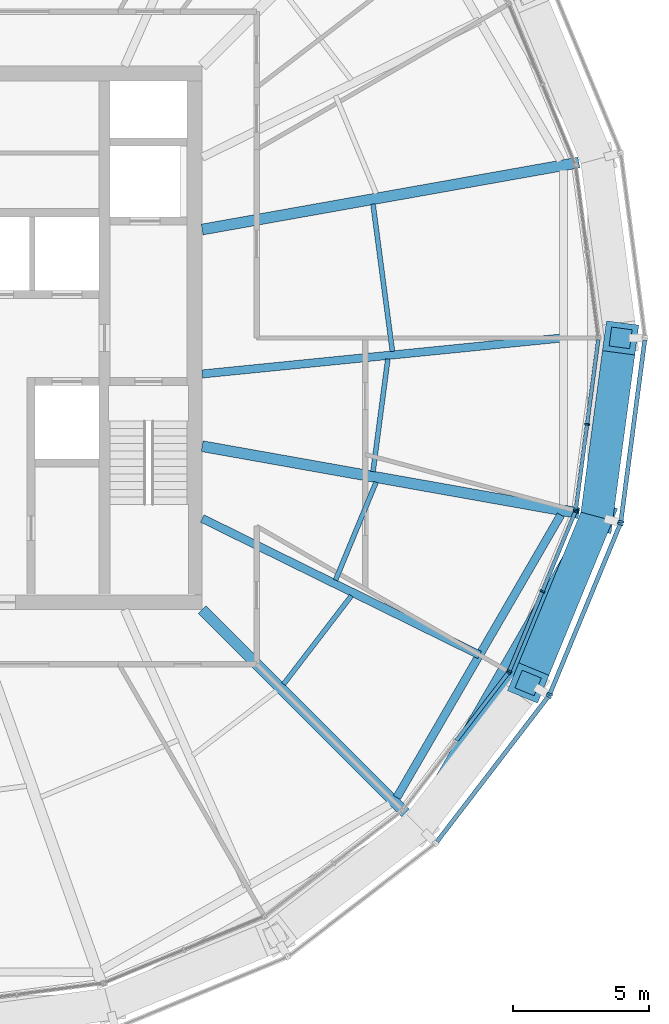
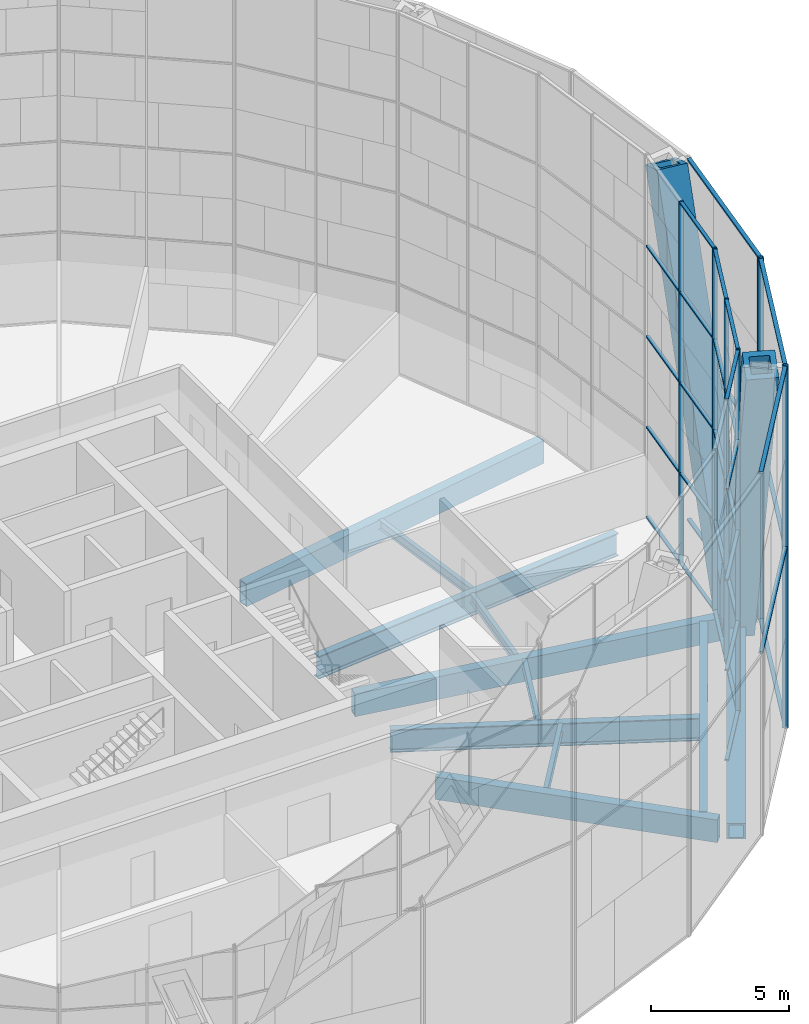
# One storey, part 6 of 30: 44 members, 11 beams, 6 elements without a shape of their own.
"""IFC4 building model written with IfcOpenShell, lengths in metres."""

from ifc_helpers import new_model, si_unit, direction, frame, origin, origin_2d, place, context, subcontext, project, spatial, rectangle, hollow_rectangle, i_section, extrude, material, material_profile, profile_set, type_object, element, aggregate, save


model = new_model("IFC4")

# Units and contexts
model_context = context("Model", 3, precision=1e-05, world=origin(), true_north=direction((0.0, 1.0)))
body_context = subcontext(model_context, "Body", "Model", "MODEL_VIEW")
ifc_project = project(units=[si_unit("LENGTHUNIT", "METRE"), si_unit("AREAUNIT", "SQUARE_METRE"), si_unit("VOLUMEUNIT", "CUBIC_METRE"), si_unit("PLANEANGLEUNIT", "RADIAN"), si_unit("MASSUNIT", "GRAM", prefix="KILO")], contexts=[model_context])

# Site, building, storey
site_placement = place(None, origin())
site = spatial("IfcSite", under=ifc_project, at=site_placement, CompositionType="ELEMENT")
building_placement = place(site_placement, origin())
building = spatial("IfcBuilding", under=site, at=building_placement, Name="Golbaran Civic Tower", CompositionType="ELEMENT")
storey_placement = place(building_placement, frame((0.0, 0.0, 102.0)))
storey = spatial("IfcBuildingStorey", under=building, at=storey_placement, Name="L24", CompositionType="ELEMENT", Elevation=102.0)

# Members
ifc_material_1 = material(Name="Steel S355", Category="steel")
ifc_material_profile_1 = material_profile(ifc_material_1, hollow_rectangle(XDim=1.199951171875, YDim=1.199951171875, WallThickness=0.219970703125, at=origin_2d()), Name="BOX 1200x1200x220")
ifc_profile_set_1 = profile_set([ifc_material_profile_1], Name="Steel S355")
member_type_1 = type_object("IfcMemberType", Name="DIAGRID DIAGONAL BOX 1200x1200x220", PredefinedType="BRACE", material=ifc_profile_set_1)
for number, where, z_axis, x_axis, name in (
    (1, (24.51611328125, -6.569091796875, -0.7099609375), (0.050637494414, 0.379315997273, 0.923880521697), (-0.991206653617, 0.132322975426, 0.0), "Diagonal D05-11R L24-L28"),
    (2, (24.51611328125, -6.569091796875, -0.7099609375), (-0.145808380158, -0.353814050585, 0.923880692451), (0.924567435583, -0.381018447137, 0.0), "Diagonal D05-11L L24-L28"),
):
    element("IfcMember", number, at=place(storey_placement, frame(where, z_axis=z_axis, x_axis=x_axis)), inside=storey, type_object=member_type_1, Name=name, PredefinedType="BRACE", context=body_context, shape_type="SweptSolid", body=[
        extrude(hollow_rectangle(XDim=1.199951171875, YDim=1.199951171875, WallThickness=0.219970703125, at=origin_2d()), origin(), (0.0, 0.0, 1.0), 17.318359375),
    ])

# Beams
ifc_material_profile_2 = material_profile(ifc_material_1, hollow_rectangle(XDim=0.699951171875, YDim=0.699951171875, WallThickness=0.080078125, at=origin_2d()), Name="BOX 700x700x80")
ifc_profile_set_2 = profile_set([ifc_material_profile_2], Name="Steel S355")
beam_type_1 = type_object("IfcBeamType", Name="DIAGRID RING TIE BOX 700x700x80", PredefinedType="BEAM", material=ifc_profile_set_2)
beam_1_placement = place(storey_placement, frame((17.947021484375, -17.947021484375, -0.7099609375), z_axis=(0.500002342169, 0.866024051528, 0.0), x_axis=(-0.866024051528, 0.500002342169, 0.0)))
element("IfcBeam", 3, at=beam_1_placement, inside=storey, type_object=beam_type_1, Name="Ring tie 315.00 L24", PredefinedType="BEAM", context=body_context, shape_type="SweptSolid", body=[
    extrude(hollow_rectangle(XDim=0.699951171875, YDim=0.699951171875, WallThickness=0.080078125, at=origin_2d()), origin(), (0.0, 0.0, 1.0), 13.13818359375),
])
ifc_material_profile_3 = material_profile(ifc_material_1, i_section(OverallWidth=0.300048828125, OverallDepth=0.800048828125, WebThickness=0.017578125, FlangeThickness=0.032958984375, FilletRadius=0.030029296875, at=origin_2d()), Name="HEB 800")
ifc_profile_set_3 = profile_set([ifc_material_profile_3], Name="Steel S355")
beam_type_2 = type_object("IfcBeamType", Name="EDGE BEAM HEB 800", PredefinedType="BEAM", material=ifc_profile_set_3)
beam_2_placement = place(storey_placement, frame((17.161376953125, -16.906982421875, -0.60009765625), z_axis=(0.50190998271, 0.86491986291, 0.0), x_axis=(-0.86491986291, 0.50190998271, 0.0)))
element("IfcBeam", 4, at=beam_2_placement, inside=storey, type_object=beam_type_2, Name="Edge beam 315.00 L24", PredefinedType="BEAM", context=body_context, shape_type="SweptSolid", body=[
    extrude(i_section(OverallWidth=0.300048828125, OverallDepth=0.800048828125, WebThickness=0.017578125, FlangeThickness=0.032958984375, FilletRadius=0.030029296875, at=origin_2d()), origin(), (0.0, 0.0, 1.0), 12.013671875),
])
ifc_material_profile_4 = material_profile(ifc_material_1, i_section(OverallWidth=0.179931640625, OverallDepth=0.39990234375, WebThickness=0.008544921875, FlangeThickness=0.013427734375, FilletRadius=0.02099609375, at=origin_2d()), Name="IPE 400")
ifc_profile_set_4 = profile_set([ifc_material_profile_4], Name="Steel S355")
beam_type_3 = type_object("IfcBeamType", Name="FLOOR INFILL BEAM IPE 400", PredefinedType="BEAM", material=ifc_profile_set_4)
beam_3_placement = place(storey_placement, frame((16.997802734375, -0.498291015625, -0.39990234375), z_axis=(-0.13054578094, 0.991442282273, 0.0), x_axis=(-0.991442282273, -0.13054578094, 0.0)))
element("IfcBeam", 5, at=beam_3_placement, inside=storey, type_object=beam_type_3, Name="Infill beam 7.50 L24", PredefinedType="BEAM", context=body_context, shape_type="SweptSolid", body=[
    extrude(i_section(OverallWidth=0.179931640625, OverallDepth=0.39990234375, WebThickness=0.008544921875, FlangeThickness=0.013427734375, FilletRadius=0.02099609375, at=origin_2d()), origin(), (0.0, 0.0, 1.0), 5.466552734375),
])
beam_4_placement = place(storey_placement, frame((12.993896484375, -12.739501953125, -0.39990234375), z_axis=(0.608762972418, 0.793352155989, 0.0), x_axis=(-0.793352155989, 0.608762972418, 0.0)))
element("IfcBeam", 6, at=beam_4_placement, inside=storey, type_object=beam_type_3, Name="Infill beam 322.50 L24", PredefinedType="BEAM", context=body_context, shape_type="SweptSolid", body=[
    extrude(i_section(OverallWidth=0.179931640625, OverallDepth=0.39990234375, WebThickness=0.008544921875, FlangeThickness=0.013427734375, FilletRadius=0.02099609375, at=origin_2d()), origin(), (0.0, 0.0, 1.0), 4.097412109375),
])
beam_5_placement = place(storey_placement, frame((14.90478515625, -8.911865234375, -0.39990234375), z_axis=(0.382690736062, 0.923876507187, 0.0), x_axis=(-0.923876507187, 0.382690736062, 0.0)))
element("IfcBeam", 7, at=beam_5_placement, inside=storey, type_object=beam_type_3, Name="Infill beam 337.50 L24", PredefinedType="BEAM", context=body_context, shape_type="SweptSolid", body=[
    extrude(i_section(OverallWidth=0.179931640625, OverallDepth=0.39990234375, WebThickness=0.008544921875, FlangeThickness=0.013427734375, FilletRadius=0.02099609375, at=origin_2d()), origin(), (0.0, 0.0, 1.0), 3.90185546875),
])
beam_6_placement = place(storey_placement, frame((16.2841796875, -4.92138671875, -0.39990234375), z_axis=(0.130572336197, 0.991438785312, 0.0), x_axis=(-0.991438785312, 0.130572336197, 0.0)))
element("IfcBeam", 8, at=beam_6_placement, inside=storey, type_object=beam_type_3, Name="Infill beam 352.50 L24", PredefinedType="BEAM", context=body_context, shape_type="SweptSolid", body=[
    extrude(i_section(OverallWidth=0.179931640625, OverallDepth=0.39990234375, WebThickness=0.008544921875, FlangeThickness=0.013427734375, FilletRadius=0.02099609375, at=origin_2d()), origin(), (0.0, 0.0, 1.0), 4.180908203125),
])

# Curtain wall, member
ifc_material_2 = material(Name="Aluminium and glass", Category="aluminium")
curtain_wall_type_1 = type_object("IfcCurtainWallType", Name="INNER SKIN CURTAIN WALL", PredefinedType="NOTDEFINED", material=ifc_material_2)
curtain_wall_1_placement = place(storey_placement, origin())
curtain_wall_1 = element("IfcCurtainWall", 9, at=curtain_wall_1_placement, inside=storey, type_object=curtain_wall_type_1, Name="Inner skin L24 facet 22 CW1", ObjectType="INNER SKIN", PredefinedType="USERDEFINED")
ifc_material_3 = material(Name="Aluminium", Category="aluminium")
ifc_material_profile_5 = material_profile(ifc_material_3, rectangle(XDim=0.179931640625, YDim=0.06494140625, at=origin_2d()), Name="INNER SKIN CURTAIN WALL MULLION")
ifc_profile_set_5 = profile_set([ifc_material_profile_5], Name="Aluminium")
member_type_2 = type_object("IfcMemberType", Name="INNER SKIN CURTAIN WALL MULLION", PredefinedType="MULLION", material=ifc_profile_set_5)
member_1_placement = place(storey_placement, frame((21.265380859375, -12.314697265625, 0.0), z_axis=(0.0, 0.0, 1.0), x_axis=(-0.793353340302, 0.608761428995, 0.0)))
member_1 = element("IfcMember", 10, at=member_1_placement, type_object=member_type_2, Name="CW1 mullion 3", PredefinedType="MULLION", context=body_context, shape_type="SweptSolid", body=[
    extrude(rectangle(XDim=0.179931640625, YDim=0.06494140625, at=origin_2d()), origin(), (0.0, 0.0, 1.0), 16.0),
])

# Curtain wall, members
curtain_wall_2_placement = place(storey_placement, origin())
curtain_wall_2 = element("IfcCurtainWall", 11, at=curtain_wall_2_placement, inside=storey, type_object=curtain_wall_type_1, Name="Inner skin L24 facet 23 CW1", ObjectType="INNER SKIN", PredefinedType="USERDEFINED")
member_2_placement = place(storey_placement, frame((21.297607421875, -12.259033203125, 0.0), z_axis=(0.0, 0.0, 1.0), x_axis=(-0.923879532465, 0.382683432478, 0.0)))
member_2 = element("IfcMember", 12, at=member_2_placement, type_object=member_type_2, Name="CW1 mullion 1", PredefinedType="MULLION", context=body_context, shape_type="SweptSolid", body=[
    extrude(rectangle(XDim=0.179931640625, YDim=0.06494140625, at=origin_2d()), origin(), (0.0, 0.0, 1.0), 16.0),
])
member_3_placement = place(storey_placement, frame((22.512939453125, -9.3251953125, 0.0), z_axis=(0.0, 0.0, 1.0), x_axis=(-0.923879532465, 0.382683432478, 0.0)))
member_3 = element("IfcMember", 13, at=member_3_placement, type_object=member_type_2, Name="CW1 mullion 2", PredefinedType="MULLION", context=body_context, shape_type="SweptSolid", body=[
    extrude(rectangle(XDim=0.179931640625, YDim=0.06494140625, at=origin_2d()), origin(), (0.0, 0.0, 1.0), 16.0),
])
member_4_placement = place(storey_placement, frame((23.72802734375, -6.391357421875, 0.0), z_axis=(0.0, 0.0, 1.0), x_axis=(-0.923879532465, 0.382683432478, 0.0)))
member_4 = element("IfcMember", 14, at=member_4_placement, type_object=member_type_2, Name="CW1 mullion 3", PredefinedType="MULLION", context=body_context, shape_type="SweptSolid", body=[
    extrude(rectangle(XDim=0.179931640625, YDim=0.06494140625, at=origin_2d()), origin(), (0.0, 0.0, 1.0), 16.0),
])

curtain_wall_3_placement = place(storey_placement, origin())
curtain_wall_3 = element("IfcCurtainWall", 15, at=curtain_wall_3_placement, inside=storey, type_object=curtain_wall_type_1, Name="Inner skin L24 facet 24 CW1", ObjectType="INNER SKIN", PredefinedType="USERDEFINED")
member_5_placement = place(storey_placement, frame((23.744873046875, -6.3291015625, 0.0), z_axis=(0.0, 0.0, 1.0), x_axis=(-0.991444861385, 0.130526192134, 0.0)))
member_5 = element("IfcMember", 16, at=member_5_placement, type_object=member_type_2, Name="CW1 mullion 1", PredefinedType="MULLION", context=body_context, shape_type="SweptSolid", body=[
    extrude(rectangle(XDim=0.179931640625, YDim=0.06494140625, at=origin_2d()), origin(), (0.0, 0.0, 1.0), 16.0),
])
member_6_placement = place(storey_placement, frame((24.1591796875, -3.1806640625, 0.0), z_axis=(0.0, 0.0, 1.0), x_axis=(-0.991444861385, 0.130526192134, 0.0)))
member_6 = element("IfcMember", 17, at=member_6_placement, type_object=member_type_2, Name="CW1 mullion 2", PredefinedType="MULLION", context=body_context, shape_type="SweptSolid", body=[
    extrude(rectangle(XDim=0.179931640625, YDim=0.06494140625, at=origin_2d()), origin(), (0.0, 0.0, 1.0), 16.0),
])

# Member
ifc_material_profile_6 = material_profile(ifc_material_3, rectangle(XDim=0.139892578125, YDim=0.06494140625, at=origin_2d()), Name="INNER SKIN CURTAIN WALL TRANSOM")
ifc_profile_set_6 = profile_set([ifc_material_profile_6], Name="Aluminium")
member_type_3 = type_object("IfcMemberType", Name="INNER SKIN CURTAIN WALL TRANSOM", PredefinedType="USERDEFINED", material=ifc_profile_set_6)
member_7_placement = place(storey_placement, frame((19.35205078125, -14.808349609375, 0.032470703125), z_axis=(0.608754453805, 0.793358692504, 0.0), x_axis=(-0.793358692504, 0.608754453805, 0.0)))
member_7 = element("IfcMember", 18, at=member_7_placement, type_object=member_type_3, Name="CW1 transom 2.1", ObjectType="TRANSOM", PredefinedType="USERDEFINED", context=body_context, shape_type="SweptSolid", body=[
    extrude(rectangle(XDim=0.139892578125, YDim=0.06494140625, at=origin_2d()), origin(), (0.0, 0.0, 1.0), 3.110595703125),
])

member_8_placement = place(storey_placement, frame((19.35205078125, -14.808349609375, 4.0), z_axis=(0.608754453805, 0.793358692504, 0.0), x_axis=(-0.793358692504, 0.608754453805, 0.0)))
member_8 = element("IfcMember", 19, at=member_8_placement, type_object=member_type_3, Name="CW1 transom 2.2", ObjectType="TRANSOM", PredefinedType="USERDEFINED", context=body_context, shape_type="SweptSolid", body=[
    extrude(rectangle(XDim=0.139892578125, YDim=0.06494140625, at=origin_2d()), origin(), (0.0, 0.0, 1.0), 3.110595703125),
])

member_9_placement = place(storey_placement, frame((19.35205078125, -14.808349609375, 8.0), z_axis=(0.608754453805, 0.793358692504, 0.0), x_axis=(-0.793358692504, 0.608754453805, 0.0)))
member_9 = element("IfcMember", 20, at=member_9_placement, type_object=member_type_3, Name="CW1 transom 2.3", ObjectType="TRANSOM", PredefinedType="USERDEFINED", context=body_context, shape_type="SweptSolid", body=[
    extrude(rectangle(XDim=0.139892578125, YDim=0.06494140625, at=origin_2d()), origin(), (0.0, 0.0, 1.0), 3.110595703125),
])

member_10_placement = place(storey_placement, frame((19.35205078125, -14.808349609375, 12.0), z_axis=(0.608754453805, 0.793358692504, 0.0), x_axis=(-0.793358692504, 0.608754453805, 0.0)))
member_10 = element("IfcMember", 21, at=member_10_placement, type_object=member_type_3, Name="CW1 transom 2.4", ObjectType="TRANSOM", PredefinedType="USERDEFINED", context=body_context, shape_type="SweptSolid", body=[
    extrude(rectangle(XDim=0.139892578125, YDim=0.06494140625, at=origin_2d()), origin(), (0.0, 0.0, 1.0), 3.110595703125),
])

member_11_placement = place(storey_placement, frame((19.35205078125, -14.808349609375, 15.967529296875), z_axis=(0.608754453805, 0.793358692504, 0.0), x_axis=(-0.793358692504, 0.608754453805, 0.0)))
member_11 = element("IfcMember", 22, at=member_11_placement, type_object=member_type_3, Name="CW1 transom 2.5", ObjectType="TRANSOM", PredefinedType="USERDEFINED", context=body_context, shape_type="SweptSolid", body=[
    extrude(rectangle(XDim=0.139892578125, YDim=0.06494140625, at=origin_2d()), origin(), (0.0, 0.0, 1.0), 3.110595703125),
])

aggregate(curtain_wall_1, [member_1, member_7, member_8, member_9, member_10, member_11])

member_12_placement = place(storey_placement, frame((21.31005859375, -12.22900390625, 0.032470703125), z_axis=(0.382703004748, 0.923871425122, 0.0), x_axis=(-0.923871425122, 0.382703004748, 0.0)))
member_12 = element("IfcMember", 23, at=member_12_placement, type_object=member_type_3, Name="CW1 transom 1.1", ObjectType="TRANSOM", PredefinedType="USERDEFINED", context=body_context, shape_type="SweptSolid", body=[
    extrude(rectangle(XDim=0.139892578125, YDim=0.06494140625, at=origin_2d()), origin(), (0.0, 0.0, 1.0), 3.110595703125),
])

member_13_placement = place(storey_placement, frame((21.31005859375, -12.22900390625, 4.0), z_axis=(0.382703004748, 0.923871425122, 0.0), x_axis=(-0.923871425122, 0.382703004748, 0.0)))
member_13 = element("IfcMember", 24, at=member_13_placement, type_object=member_type_3, Name="CW1 transom 1.2", ObjectType="TRANSOM", PredefinedType="USERDEFINED", context=body_context, shape_type="SweptSolid", body=[
    extrude(rectangle(XDim=0.139892578125, YDim=0.06494140625, at=origin_2d()), origin(), (0.0, 0.0, 1.0), 3.110595703125),
])

member_14_placement = place(storey_placement, frame((21.31005859375, -12.22900390625, 8.0), z_axis=(0.382703004748, 0.923871425122, 0.0), x_axis=(-0.923871425122, 0.382703004748, 0.0)))
member_14 = element("IfcMember", 25, at=member_14_placement, type_object=member_type_3, Name="CW1 transom 1.3", ObjectType="TRANSOM", PredefinedType="USERDEFINED", context=body_context, shape_type="SweptSolid", body=[
    extrude(rectangle(XDim=0.139892578125, YDim=0.06494140625, at=origin_2d()), origin(), (0.0, 0.0, 1.0), 3.110595703125),
])

member_15_placement = place(storey_placement, frame((21.31005859375, -12.22900390625, 12.0), z_axis=(0.382703004748, 0.923871425122, 0.0), x_axis=(-0.923871425122, 0.382703004748, 0.0)))
member_15 = element("IfcMember", 26, at=member_15_placement, type_object=member_type_3, Name="CW1 transom 1.4", ObjectType="TRANSOM", PredefinedType="USERDEFINED", context=body_context, shape_type="SweptSolid", body=[
    extrude(rectangle(XDim=0.139892578125, YDim=0.06494140625, at=origin_2d()), origin(), (0.0, 0.0, 1.0), 3.110595703125),
])

member_16_placement = place(storey_placement, frame((21.31005859375, -12.22900390625, 15.967529296875), z_axis=(0.382703004748, 0.923871425122, 0.0), x_axis=(-0.923871425122, 0.382703004748, 0.0)))
member_16 = element("IfcMember", 27, at=member_16_placement, type_object=member_type_3, Name="CW1 transom 1.5", ObjectType="TRANSOM", PredefinedType="USERDEFINED", context=body_context, shape_type="SweptSolid", body=[
    extrude(rectangle(XDim=0.139892578125, YDim=0.06494140625, at=origin_2d()), origin(), (0.0, 0.0, 1.0), 3.110595703125),
])

member_17_placement = place(storey_placement, frame((22.525390625, -9.295166015625, 0.032470703125), z_axis=(0.382636009992, 0.923899174075, 0.0), x_axis=(-0.923899174075, 0.382636009992, 0.0)))
member_17 = element("IfcMember", 28, at=member_17_placement, type_object=member_type_3, Name="CW1 transom 2.1", ObjectType="TRANSOM", PredefinedType="USERDEFINED", context=body_context, shape_type="SweptSolid", body=[
    extrude(rectangle(XDim=0.139892578125, YDim=0.06494140625, at=origin_2d()), origin(), (0.0, 0.0, 1.0), 3.110595703125),
])

member_18_placement = place(storey_placement, frame((22.525390625, -9.295166015625, 4.0), z_axis=(0.382636009992, 0.923899174075, 0.0), x_axis=(-0.923899174075, 0.382636009992, 0.0)))
member_18 = element("IfcMember", 29, at=member_18_placement, type_object=member_type_3, Name="CW1 transom 2.2", ObjectType="TRANSOM", PredefinedType="USERDEFINED", context=body_context, shape_type="SweptSolid", body=[
    extrude(rectangle(XDim=0.139892578125, YDim=0.06494140625, at=origin_2d()), origin(), (0.0, 0.0, 1.0), 3.110595703125),
])

member_19_placement = place(storey_placement, frame((22.525390625, -9.295166015625, 8.0), z_axis=(0.382636009992, 0.923899174075, 0.0), x_axis=(-0.923899174075, 0.382636009992, 0.0)))
member_19 = element("IfcMember", 30, at=member_19_placement, type_object=member_type_3, Name="CW1 transom 2.3", ObjectType="TRANSOM", PredefinedType="USERDEFINED", context=body_context, shape_type="SweptSolid", body=[
    extrude(rectangle(XDim=0.139892578125, YDim=0.06494140625, at=origin_2d()), origin(), (0.0, 0.0, 1.0), 3.110595703125),
])

member_20_placement = place(storey_placement, frame((22.525390625, -9.295166015625, 12.0), z_axis=(0.382636009992, 0.923899174075, 0.0), x_axis=(-0.923899174075, 0.382636009992, 0.0)))
member_20 = element("IfcMember", 31, at=member_20_placement, type_object=member_type_3, Name="CW1 transom 2.4", ObjectType="TRANSOM", PredefinedType="USERDEFINED", context=body_context, shape_type="SweptSolid", body=[
    extrude(rectangle(XDim=0.139892578125, YDim=0.06494140625, at=origin_2d()), origin(), (0.0, 0.0, 1.0), 3.110595703125),
])

member_21_placement = place(storey_placement, frame((22.525390625, -9.295166015625, 15.967529296875), z_axis=(0.382636009992, 0.923899174075, 0.0), x_axis=(-0.923899174075, 0.382636009992, 0.0)))
member_21 = element("IfcMember", 32, at=member_21_placement, type_object=member_type_3, Name="CW1 transom 2.5", ObjectType="TRANSOM", PredefinedType="USERDEFINED", context=body_context, shape_type="SweptSolid", body=[
    extrude(rectangle(XDim=0.139892578125, YDim=0.06494140625, at=origin_2d()), origin(), (0.0, 0.0, 1.0), 3.110595703125),
])

aggregate(curtain_wall_2, [member_2, member_3, member_4, member_12, member_13, member_14, member_15, member_16, member_17, member_18, member_19, member_20, member_21])

member_22_placement = place(storey_placement, frame((23.7490234375, -6.296875, 0.032470703125), z_axis=(0.130523542167, 0.991445210256, 0.0), x_axis=(-0.991445210256, 0.130523542167, 0.0)))
member_22 = element("IfcMember", 33, at=member_22_placement, type_object=member_type_3, Name="CW1 transom 1.1", ObjectType="TRANSOM", PredefinedType="USERDEFINED", context=body_context, shape_type="SweptSolid", body=[
    extrude(rectangle(XDim=0.139892578125, YDim=0.06494140625, at=origin_2d()), origin(), (0.0, 0.0, 1.0), 3.110595703125),
])

member_23_placement = place(storey_placement, frame((23.7490234375, -6.296875, 4.0), z_axis=(0.130523542167, 0.991445210256, 0.0), x_axis=(-0.991445210256, 0.130523542167, 0.0)))
member_23 = element("IfcMember", 34, at=member_23_placement, type_object=member_type_3, Name="CW1 transom 1.2", ObjectType="TRANSOM", PredefinedType="USERDEFINED", context=body_context, shape_type="SweptSolid", body=[
    extrude(rectangle(XDim=0.139892578125, YDim=0.06494140625, at=origin_2d()), origin(), (0.0, 0.0, 1.0), 3.110595703125),
])

member_24_placement = place(storey_placement, frame((23.7490234375, -6.296875, 8.0), z_axis=(0.130523542167, 0.991445210256, 0.0), x_axis=(-0.991445210256, 0.130523542167, 0.0)))
member_24 = element("IfcMember", 35, at=member_24_placement, type_object=member_type_3, Name="CW1 transom 1.3", ObjectType="TRANSOM", PredefinedType="USERDEFINED", context=body_context, shape_type="SweptSolid", body=[
    extrude(rectangle(XDim=0.139892578125, YDim=0.06494140625, at=origin_2d()), origin(), (0.0, 0.0, 1.0), 3.110595703125),
])

member_25_placement = place(storey_placement, frame((23.7490234375, -6.296875, 12.0), z_axis=(0.130523542167, 0.991445210256, 0.0), x_axis=(-0.991445210256, 0.130523542167, 0.0)))
member_25 = element("IfcMember", 36, at=member_25_placement, type_object=member_type_3, Name="CW1 transom 1.4", ObjectType="TRANSOM", PredefinedType="USERDEFINED", context=body_context, shape_type="SweptSolid", body=[
    extrude(rectangle(XDim=0.139892578125, YDim=0.06494140625, at=origin_2d()), origin(), (0.0, 0.0, 1.0), 3.110595703125),
])

member_26_placement = place(storey_placement, frame((23.7490234375, -6.296875, 15.967529296875), z_axis=(0.130523542167, 0.991445210256, 0.0), x_axis=(-0.991445210256, 0.130523542167, 0.0)))
member_26 = element("IfcMember", 37, at=member_26_placement, type_object=member_type_3, Name="CW1 transom 1.5", ObjectType="TRANSOM", PredefinedType="USERDEFINED", context=body_context, shape_type="SweptSolid", body=[
    extrude(rectangle(XDim=0.139892578125, YDim=0.06494140625, at=origin_2d()), origin(), (0.0, 0.0, 1.0), 3.110595703125),
])

member_27_placement = place(storey_placement, frame((24.16357421875, -3.1484375, 0.032470703125), z_axis=(0.130523542167, 0.991445210256, 0.0), x_axis=(-0.991445210256, 0.130523542167, 0.0)))
member_27 = element("IfcMember", 38, at=member_27_placement, type_object=member_type_3, Name="CW1 transom 2.1", ObjectType="TRANSOM", PredefinedType="USERDEFINED", context=body_context, shape_type="SweptSolid", body=[
    extrude(rectangle(XDim=0.139892578125, YDim=0.06494140625, at=origin_2d()), origin(), (0.0, 0.0, 1.0), 3.110595703125),
])

member_28_placement = place(storey_placement, frame((24.16357421875, -3.1484375, 4.0), z_axis=(0.130523542167, 0.991445210256, 0.0), x_axis=(-0.991445210256, 0.130523542167, 0.0)))
member_28 = element("IfcMember", 39, at=member_28_placement, type_object=member_type_3, Name="CW1 transom 2.2", ObjectType="TRANSOM", PredefinedType="USERDEFINED", context=body_context, shape_type="SweptSolid", body=[
    extrude(rectangle(XDim=0.139892578125, YDim=0.06494140625, at=origin_2d()), origin(), (0.0, 0.0, 1.0), 3.110595703125),
])

member_29_placement = place(storey_placement, frame((24.16357421875, -3.1484375, 8.0), z_axis=(0.130523542167, 0.991445210256, 0.0), x_axis=(-0.991445210256, 0.130523542167, 0.0)))
member_29 = element("IfcMember", 40, at=member_29_placement, type_object=member_type_3, Name="CW1 transom 2.3", ObjectType="TRANSOM", PredefinedType="USERDEFINED", context=body_context, shape_type="SweptSolid", body=[
    extrude(rectangle(XDim=0.139892578125, YDim=0.06494140625, at=origin_2d()), origin(), (0.0, 0.0, 1.0), 3.110595703125),
])

member_30_placement = place(storey_placement, frame((24.16357421875, -3.1484375, 12.0), z_axis=(0.130523542167, 0.991445210256, 0.0), x_axis=(-0.991445210256, 0.130523542167, 0.0)))
member_30 = element("IfcMember", 41, at=member_30_placement, type_object=member_type_3, Name="CW1 transom 2.4", ObjectType="TRANSOM", PredefinedType="USERDEFINED", context=body_context, shape_type="SweptSolid", body=[
    extrude(rectangle(XDim=0.139892578125, YDim=0.06494140625, at=origin_2d()), origin(), (0.0, 0.0, 1.0), 3.110595703125),
])

aggregate(curtain_wall_3, [member_5, member_6, member_22, member_23, member_24, member_25, member_26, member_27, member_28, member_29, member_30])

# Curtain wall, member
curtain_wall_type_2 = type_object("IfcCurtainWallType", Name="OUTER SKIN TERRACOTTA SCREEN", PredefinedType="NOTDEFINED", material=ifc_material_2)
curtain_wall_4_placement = place(storey_placement, origin())
curtain_wall_4 = element("IfcCurtainWall", 42, at=curtain_wall_4_placement, inside=storey, type_object=curtain_wall_type_2, Name="Outer skin L24 facet 22 CW3", ObjectType="OUTER SKIN", PredefinedType="USERDEFINED")
ifc_material_profile_7 = material_profile(ifc_material_3, rectangle(XDim=0.219970703125, YDim=0.080078125, at=origin_2d()), Name="OUTER SKIN TERRACOTTA SCREEN MULLION")
ifc_profile_set_7 = profile_set([ifc_material_profile_7], Name="Aluminium")
member_type_4 = type_object("IfcMemberType", Name="OUTER SKIN TERRACOTTA SCREEN MULLION", PredefinedType="MULLION", material=ifc_profile_set_7)
member_31_placement = place(storey_placement, frame((22.74609375, -13.17822265625, -0.7099609375), z_axis=(0.0, 0.0, 1.0), x_axis=(-0.793353340302, 0.608761428995, 0.0)))
member_31 = element("IfcMember", 43, at=member_31_placement, type_object=member_type_4, Name="CW3 mullion 2", PredefinedType="MULLION", context=body_context, shape_type="SweptSolid", body=[
    extrude(rectangle(XDim=0.219970703125, YDim=0.080078125, at=origin_2d()), origin(), (0.0, 0.0, 1.0), 16.0),
])

# Curtain wall, members
curtain_wall_5_placement = place(storey_placement, origin())
curtain_wall_5 = element("IfcCurtainWall", 44, at=curtain_wall_5_placement, inside=storey, type_object=curtain_wall_type_2, Name="Outer skin L24 facet 23 CW3", ObjectType="OUTER SKIN", PredefinedType="USERDEFINED")
member_32_placement = place(storey_placement, frame((22.78564453125, -13.109619140625, -0.7099609375), z_axis=(0.0, 0.0, 1.0), x_axis=(-0.923879532505, 0.382683432381, 0.0)))
member_32 = element("IfcMember", 45, at=member_32_placement, type_object=member_type_4, Name="CW3 mullion 1", PredefinedType="MULLION", context=body_context, shape_type="SweptSolid", body=[
    extrude(rectangle(XDim=0.219970703125, YDim=0.080078125, at=origin_2d()), origin(), (0.0, 0.0, 1.0), 16.0),
])
member_33_placement = place(storey_placement, frame((25.3818359375, -6.842041015625, -0.7099609375), z_axis=(0.0, 0.0, 1.0), x_axis=(-0.923879532505, 0.382683432381, 0.0)))
member_33 = element("IfcMember", 46, at=member_33_placement, type_object=member_type_4, Name="CW3 mullion 2", PredefinedType="MULLION", context=body_context, shape_type="SweptSolid", body=[
    extrude(rectangle(XDim=0.219970703125, YDim=0.080078125, at=origin_2d()), origin(), (0.0, 0.0, 1.0), 16.0),
])

# Curtain wall, member
curtain_wall_6_placement = place(storey_placement, origin())
curtain_wall_6 = element("IfcCurtainWall", 47, at=curtain_wall_6_placement, inside=storey, type_object=curtain_wall_type_2, Name="Outer skin L24 facet 24 CW3", ObjectType="OUTER SKIN", PredefinedType="USERDEFINED")
member_34_placement = place(storey_placement, frame((25.40234375, -6.765380859375, -0.7099609375), z_axis=(0.0, 0.0, 1.0), x_axis=(-0.991444861381, 0.130526192168, 0.0)))
member_34 = element("IfcMember", 48, at=member_34_placement, type_object=member_type_4, Name="CW3 mullion 1", PredefinedType="MULLION", context=body_context, shape_type="SweptSolid", body=[
    extrude(rectangle(XDim=0.219970703125, YDim=0.080078125, at=origin_2d()), origin(), (0.0, 0.0, 1.0), 16.0),
])

# Member
ifc_material_profile_8 = material_profile(ifc_material_3, rectangle(XDim=0.159912109375, YDim=0.080078125, at=origin_2d()), Name="OUTER SKIN TERRACOTTA SCREEN TRANSOM")
ifc_profile_set_8 = profile_set([ifc_material_profile_8], Name="Aluminium")
member_type_5 = type_object("IfcMemberType", Name="OUTER SKIN TERRACOTTA SCREEN TRANSOM", PredefinedType="USERDEFINED", material=ifc_profile_set_8)
member_35_placement = place(storey_placement, frame((18.640625, -18.528564453125, 7.2900390625), z_axis=(0.608756422165, 0.793357182153, 0.0), x_axis=(-0.793357182153, 0.608756422165, 0.0)))
member_35 = element("IfcMember", 49, at=member_35_placement, type_object=member_type_5, Name="CW3 transom 1.2", ObjectType="TRANSOM", PredefinedType="USERDEFINED", context=body_context, shape_type="SweptSolid", body=[
    extrude(rectangle(XDim=0.159912109375, YDim=0.080078125, at=origin_2d()), origin(), (0.0, 0.0, 1.0), 6.703857421875),
])

member_36_placement = place(storey_placement, frame((18.640625, -18.528564453125, 15.25), z_axis=(0.608756422165, 0.793357182153, 0.0), x_axis=(-0.793357182153, 0.608756422165, 0.0)))
member_36 = element("IfcMember", 50, at=member_36_placement, type_object=member_type_5, Name="CW3 transom 1.3", ObjectType="TRANSOM", PredefinedType="USERDEFINED", context=body_context, shape_type="SweptSolid", body=[
    extrude(rectangle(XDim=0.159912109375, YDim=0.080078125, at=origin_2d()), origin(), (0.0, 0.0, 1.0), 6.703857421875),
])

aggregate(curtain_wall_4, [member_31, member_35, member_36])

member_37_placement = place(storey_placement, frame((22.801025390625, -13.072509765625, -0.669921875), z_axis=(0.382690592899, 0.923876566489, 0.0), x_axis=(-0.923876566489, 0.382690592899, 0.0)))
member_37 = element("IfcMember", 51, at=member_37_placement, type_object=member_type_5, Name="CW3 transom 1.1", ObjectType="TRANSOM", PredefinedType="USERDEFINED", context=body_context, shape_type="SweptSolid", body=[
    extrude(rectangle(XDim=0.159912109375, YDim=0.080078125, at=origin_2d()), origin(), (0.0, 0.0, 1.0), 6.70361328125),
])

member_38_placement = place(storey_placement, frame((22.801025390625, -13.072509765625, 7.2900390625), z_axis=(0.382690592899, 0.923876566489, 0.0), x_axis=(-0.923876566489, 0.382690592899, 0.0)))
member_38 = element("IfcMember", 52, at=member_38_placement, type_object=member_type_5, Name="CW3 transom 1.2", ObjectType="TRANSOM", PredefinedType="USERDEFINED", context=body_context, shape_type="SweptSolid", body=[
    extrude(rectangle(XDim=0.159912109375, YDim=0.080078125, at=origin_2d()), origin(), (0.0, 0.0, 1.0), 6.70361328125),
])

member_39_placement = place(storey_placement, frame((22.801025390625, -13.072509765625, 15.25), z_axis=(0.382690592899, 0.923876566489, 0.0), x_axis=(-0.923876566489, 0.382690592899, 0.0)))
member_39 = element("IfcMember", 53, at=member_39_placement, type_object=member_type_5, Name="CW3 transom 1.3", ObjectType="TRANSOM", PredefinedType="USERDEFINED", context=body_context, shape_type="SweptSolid", body=[
    extrude(rectangle(XDim=0.159912109375, YDim=0.080078125, at=origin_2d()), origin(), (0.0, 0.0, 1.0), 6.70361328125),
])

aggregate(curtain_wall_5, [member_32, member_33, member_37, member_38, member_39])

member_40_placement = place(storey_placement, frame((25.407470703125, -6.725830078125, -0.669921875), z_axis=(0.1305223406, 0.991445368442, 0.0), x_axis=(-0.991445368442, 0.1305223406, 0.0)))
member_40 = element("IfcMember", 54, at=member_40_placement, type_object=member_type_5, Name="CW3 transom 1.1", ObjectType="TRANSOM", PredefinedType="USERDEFINED", context=body_context, shape_type="SweptSolid", body=[
    extrude(rectangle(XDim=0.159912109375, YDim=0.080078125, at=origin_2d()), origin(), (0.0, 0.0, 1.0), 6.703857421875),
])

member_41_placement = place(storey_placement, frame((25.407470703125, -6.725830078125, 7.2900390625), z_axis=(0.1305223406, 0.991445368442, 0.0), x_axis=(-0.991445368442, 0.1305223406, 0.0)))
member_41 = element("IfcMember", 55, at=member_41_placement, type_object=member_type_5, Name="CW3 transom 1.2", ObjectType="TRANSOM", PredefinedType="USERDEFINED", context=body_context, shape_type="SweptSolid", body=[
    extrude(rectangle(XDim=0.159912109375, YDim=0.080078125, at=origin_2d()), origin(), (0.0, 0.0, 1.0), 6.703857421875),
])

member_42_placement = place(storey_placement, frame((25.407470703125, -6.725830078125, 15.25), z_axis=(0.1305223406, 0.991445368442, 0.0), x_axis=(-0.991445368442, 0.1305223406, 0.0)))
member_42 = element("IfcMember", 56, at=member_42_placement, type_object=member_type_5, Name="CW3 transom 1.3", ObjectType="TRANSOM", PredefinedType="USERDEFINED", context=body_context, shape_type="SweptSolid", body=[
    extrude(rectangle(XDim=0.159912109375, YDim=0.080078125, at=origin_2d()), origin(), (0.0, 0.0, 1.0), 6.703857421875),
])

aggregate(curtain_wall_6, [member_34, member_40, member_41, member_42])

# Beams
ifc_material_profile_9 = material_profile(ifc_material_1, hollow_rectangle(XDim=0.39990234375, YDim=1.0, WallThickness=0.0400390625, at=origin_2d()), Name="BOX 1000x400x40")
ifc_profile_set_9 = profile_set([ifc_material_profile_9], Name="Steel S355")
beam_type_4 = type_object("IfcBeamType", Name="RADIAL FLOOR BEAM BOX 1000x400x40", PredefinedType="BEAM", material=ifc_profile_set_9)
beam_7_placement = place(storey_placement, frame((10.0, 3.985595703125, -0.7099609375), z_axis=(0.984530539331, 0.175213062084, 0.0), x_axis=(-0.175213062084, 0.984530539331, 0.0)))
element("IfcBeam", 57, at=beam_7_placement, inside=storey, type_object=beam_type_4, Name="Radial beam 15.00 L24", PredefinedType="BEAM", context=body_context, shape_type="SweptSolid", body=[
    extrude(hollow_rectangle(XDim=0.39990234375, YDim=1.0, WallThickness=0.0400390625, at=origin_2d()), origin(), (0.0, 0.0, 1.0), 14.07470703125),
])
beam_8_placement = place(storey_placement, frame((10.0, -10.0, -0.7099609375), z_axis=(0.707106781187, -0.707106781187, 0.0), x_axis=(0.707106781187, 0.707106781187, 0.0)))
element("IfcBeam", 58, at=beam_8_placement, inside=storey, type_object=beam_type_4, Name="Radial beam 315.00 L24", PredefinedType="BEAM", context=body_context, shape_type="SweptSolid", body=[
    extrude(hollow_rectangle(XDim=0.39990234375, YDim=1.0, WallThickness=0.0400390625, at=origin_2d()), origin(), (0.0, 0.0, 1.0), 10.580810546875),
])
beam_9_placement = place(storey_placement, frame((10.0, -3.985595703125, -0.7099609375), z_axis=(0.984530539331, -0.175213062084, 0.0), x_axis=(0.175213062084, 0.984530539331, 0.0)))
element("IfcBeam", 59, at=beam_9_placement, inside=storey, type_object=beam_type_4, Name="Radial beam 345.00 L24", PredefinedType="BEAM", context=body_context, shape_type="SweptSolid", body=[
    extrude(hollow_rectangle(XDim=0.39990234375, YDim=1.0, WallThickness=0.0400390625, at=origin_2d()), origin(), (0.0, 0.0, 1.0), 14.07470703125),
])
ifc_material_profile_10 = material_profile(ifc_material_1, i_section(OverallWidth=0.300048828125, OverallDepth=1.0, WebThickness=0.01904296875, FlangeThickness=0.035888671875, FilletRadius=0.030029296875, at=origin_2d()), Name="HEB 1000")
ifc_profile_set_10 = profile_set([ifc_material_profile_10], Name="Steel S355")
beam_type_5 = type_object("IfcBeamType", Name="SECONDARY FLOOR BEAM HEB 1000", PredefinedType="BEAM", material=ifc_profile_set_10)
beam_10_placement = place(storey_placement, frame((10.0, -1.32861328125, -0.7099609375), z_axis=(0.995038095255, 0.099494668156, 0.0), x_axis=(-0.099494668156, 0.995038095255, 0.0)))
element("IfcBeam", 60, at=beam_10_placement, inside=storey, type_object=beam_type_5, Name="Secondary beam 0.00 L24", PredefinedType="BEAM", context=body_context, shape_type="SweptSolid", body=[
    extrude(i_section(OverallWidth=0.300048828125, OverallDepth=1.0, WebThickness=0.01904296875, FlangeThickness=0.035888671875, FilletRadius=0.030029296875, at=origin_2d()), origin(), (0.0, 0.0, 1.0), 13.353515625),
])
beam_11_placement = place(storey_placement, frame((10.0, -6.642822265625, -0.7099609375), z_axis=(0.897226029709, -0.441571570204, 0.0), x_axis=(0.441571570204, 0.897226029709, 0.0)))
element("IfcBeam", 61, at=beam_11_placement, inside=storey, type_object=beam_type_5, Name="Secondary beam 330.00 L24", PredefinedType="BEAM", context=body_context, shape_type="SweptSolid", body=[
    extrude(i_section(OverallWidth=0.300048828125, OverallDepth=1.0, WebThickness=0.01904296875, FlangeThickness=0.035888671875, FilletRadius=0.030029296875, at=origin_2d()), origin(), (0.0, 0.0, 1.0), 11.372314453125),
])

save(model, "model.ifc")
